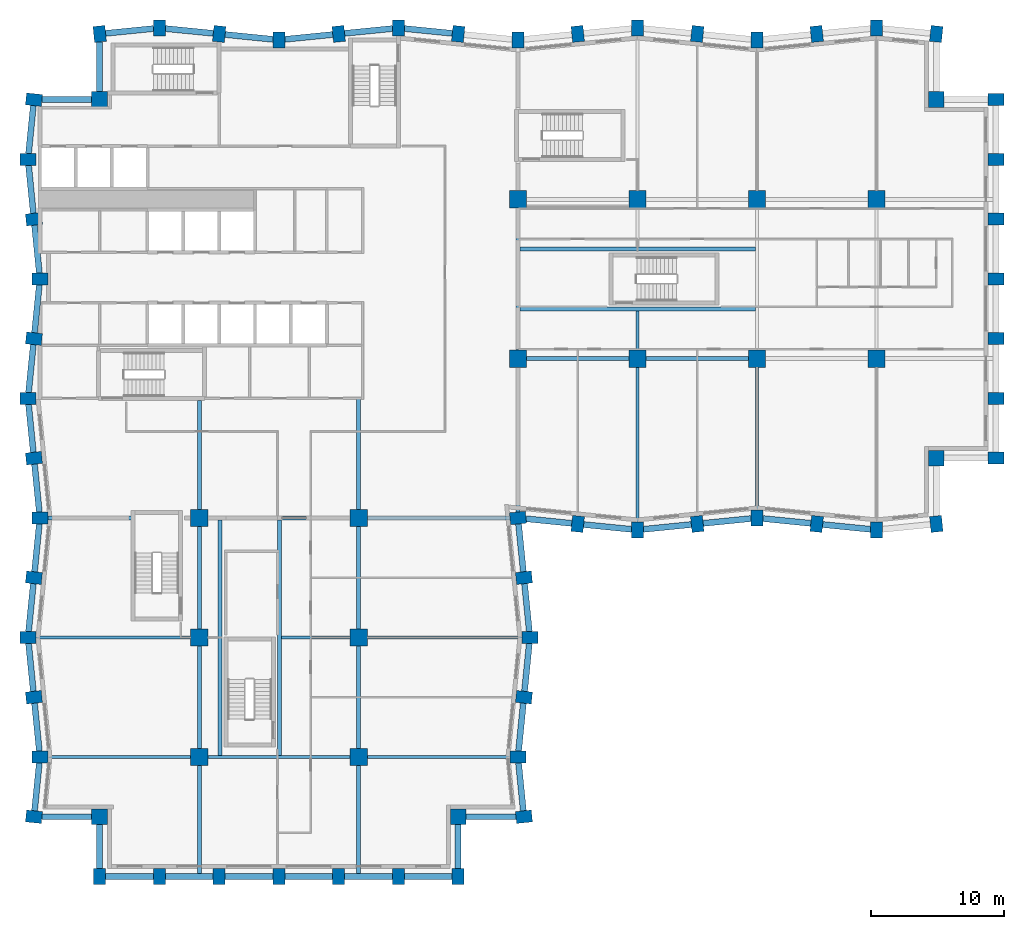
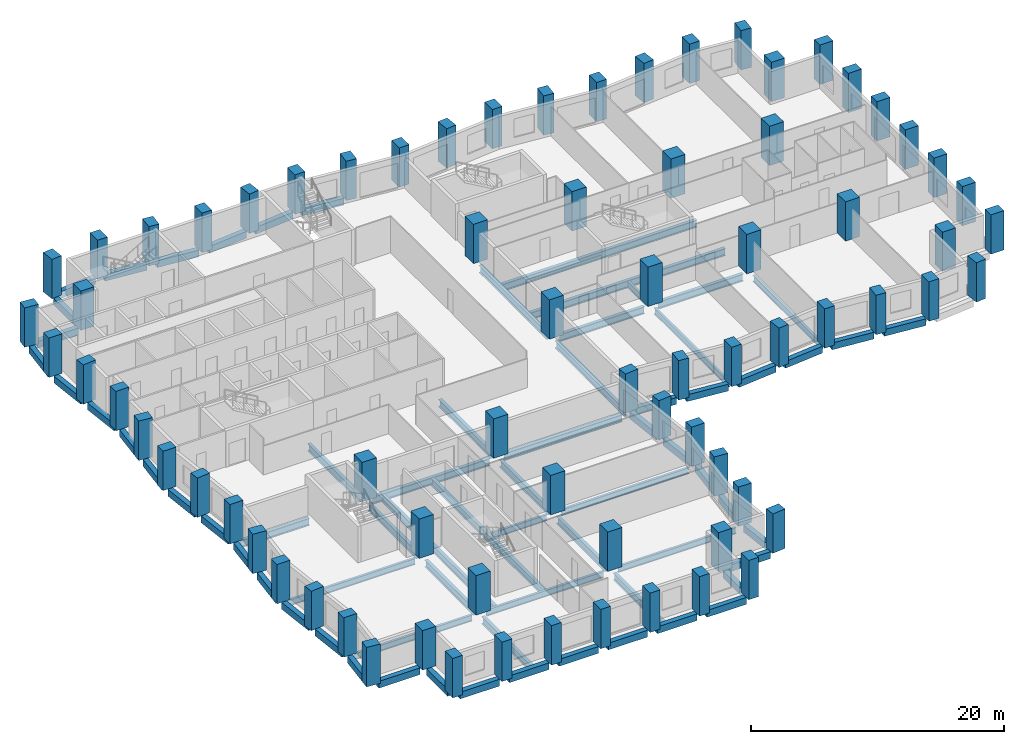
# One storey, part 1 of 11: 74 columns, 69 beams.
"""IFC4 building model written with IfcOpenShell, lengths in metres."""

from ifc_helpers import new_model, si_unit, direction, frame, origin, origin_2d, place, context, subcontext, project, spatial, rectangle, i_section, extrude, material, material_profile, profile_set, type_object, element, save


model = new_model("IFC4")

# Units and contexts
model_context = context("Model", 3, precision=1e-05, world=origin(), true_north=direction((0.0, 1.0)))
body_context = subcontext(model_context, "Body", "Model", "MODEL_VIEW")
ifc_project = project(units=[si_unit("LENGTHUNIT", "METRE"), si_unit("AREAUNIT", "SQUARE_METRE"), si_unit("VOLUMEUNIT", "CUBIC_METRE"), si_unit("PLANEANGLEUNIT", "RADIAN"), si_unit("MASSUNIT", "GRAM", prefix="KILO")], contexts=[model_context])

# Site, building, storey
site_placement = place(None, origin())
site = spatial("IfcSite", under=ifc_project, at=site_placement, CompositionType="ELEMENT")
building_placement = place(site_placement, origin())
building = spatial("IfcBuilding", under=site, at=building_placement, Name="Brondeck Convention Tower", CompositionType="ELEMENT")
storey_placement = place(building_placement, frame((0.0, 0.0, 122.699951171875)))
storey = spatial("IfcBuildingStorey", under=building, at=storey_placement, Name="L29", CompositionType="ELEMENT", Elevation=122.699951171875)

# Columns
ifc_material_1 = material(Name="Concrete C70/85", Category="concrete")
ifc_material_profile_1 = material_profile(ifc_material_1, rectangle(XDim=1.199951171875, YDim=1.199951171875, at=origin_2d()), Name="Corner column 1200x1200 Concrete C70/85")
ifc_profile_set_1 = profile_set([ifc_material_profile_1], Name="Concrete C70/85")
column_type_1 = type_object("IfcColumnType", Name="Corner column 1200x1200 Concrete C70/85", PredefinedType="COLUMN", material=ifc_profile_set_1)
for number, where, z_axis, x_axis, name in (
    (1, (4.5, 4.5, 0.0), (0.0, 0.0, 1.0), (1.0, 0.0, 0.0), "STR-COL-L29-NC-SWB0"),
    (2, (31.5, 4.5, 0.0), (0.0, 0.0, 1.0), (1.0, 0.0, 0.0), "STR-COL-L29-NC-SEB0"),
    (3, (67.5, 31.5, 0.0), (0.0, 0.0, 1.0), (1.0, 0.0, 0.0), "STR-COL-L29-NC-SEA72"),
    (4, (67.5, 58.5, 0.0), (0.0, 0.0, 1.0), (1.0, 0.0, 0.0), "STR-COL-L29-NC-NEA72"),
    (5, (4.5, 58.5, 0.0), (0.0, 0.0, 1.0), (1.0, 0.0, 0.0), "STR-COL-L29-NC-NW"),
):
    element("IfcColumn", number, at=place(storey_placement, frame(where, z_axis=z_axis, x_axis=x_axis)), inside=storey, type_object=column_type_1, Name=name, PredefinedType="COLUMN", context=body_context, shape_type="SweptSolid", body=[
        extrude(rectangle(XDim=1.199951171875, YDim=1.199951171875, at=origin_2d()), origin(), (0.0, 0.0, 1.0), 3.800048828125),
    ])
ifc_material_profile_2 = material_profile(ifc_material_1, rectangle(XDim=1.300048828125, YDim=1.300048828125, at=origin_2d()), Name="Interior column 1300x1300 Concrete C70/85")
ifc_profile_set_2 = profile_set([ifc_material_profile_2], Name="Concrete C70/85")
column_type_2 = type_object("IfcColumnType", Name="Interior column 1300x1300 Concrete C70/85", PredefinedType="COLUMN", material=ifc_profile_set_2)
for number, where, z_axis, x_axis, name in (
    (6, (12.0, 9.0, 0.0), (0.0, 0.0, 1.0), (1.0, 0.0, 0.0), "STR-COL-L29-IC-01"),
    (7, (12.0, 18.0, 0.0), (0.0, 0.0, 1.0), (1.0, 0.0, 0.0), "STR-COL-L29-IC-02"),
    (8, (12.0, 27.0, 0.0), (0.0, 0.0, 1.0), (1.0, 0.0, 0.0), "STR-COL-L29-IC-03"),
    (9, (24.0, 9.0, 0.0), (0.0, 0.0, 1.0), (1.0, 0.0, 0.0), "STR-COL-L29-IC-04"),
    (10, (24.0, 18.0, 0.0), (0.0, 0.0, 1.0), (1.0, 0.0, 0.0), "STR-COL-L29-IC-05"),
    (11, (24.0, 27.0, 0.0), (0.0, 0.0, 1.0), (1.0, 0.0, 0.0), "STR-COL-L29-IC-06"),
    (12, (36.0, 39.0, 0.0), (0.0, 0.0, 1.0), (1.0, 0.0, 0.0), "STR-COL-L29-IC-07"),
    (13, (36.0, 51.0, 0.0), (0.0, 0.0, 1.0), (1.0, 0.0, 0.0), "STR-COL-L29-IC-08"),
    (14, (45.0, 39.0, 0.0), (0.0, 0.0, 1.0), (1.0, 0.0, 0.0), "STR-COL-L29-IC-09"),
    (15, (45.0, 51.0, 0.0), (0.0, 0.0, 1.0), (1.0, 0.0, 0.0), "STR-COL-L29-IC-10"),
    (16, (54.0, 39.0, 0.0), (0.0, 0.0, 1.0), (1.0, 0.0, 0.0), "STR-COL-L29-IC-11"),
    (17, (54.0, 51.0, 0.0), (0.0, 0.0, 1.0), (1.0, 0.0, 0.0), "STR-COL-L29-IC-12"),
    (18, (63.0, 39.0, 0.0), (0.0, 0.0, 1.0), (1.0, 0.0, 0.0), "STR-COL-L29-IC-13"),
    (19, (63.0, 51.0, 0.0), (0.0, 0.0, 1.0), (1.0, 0.0, 0.0), "STR-COL-L29-IC-14"),
):
    element("IfcColumn", number, at=place(storey_placement, frame(where, z_axis=z_axis, x_axis=x_axis)), inside=storey, type_object=column_type_2, Name=name, PredefinedType="COLUMN", context=body_context, shape_type="SweptSolid", body=[
        extrude(rectangle(XDim=1.300048828125, YDim=1.300048828125, at=origin_2d()), origin(), (0.0, 0.0, 1.0), 3.800048828125),
    ])
ifc_material_profile_3 = material_profile(ifc_material_1, rectangle(XDim=0.89990234375, YDim=1.199951171875, at=origin_2d()), Name="Perimeter pier 900x1200 Concrete C70/85")
ifc_profile_set_3 = profile_set([ifc_material_profile_3], Name="Concrete C70/85")
column_type_3 = type_object("IfcColumnType", Name="Perimeter pier 900x1200 Concrete C70/85", PredefinedType="COLUMN", material=ifc_profile_set_3)
for number, where, z_axis, x_axis, name in (
    (20, (4.5, 0.0, 0.0), (0.0, 0.0, 1.0), (1.0, 0.0, 0.0), "STR-COL-L29-PC-B-S0-01"),
    (21, (9.0, 0.0, 0.0), (0.0, 0.0, 1.0), (1.0, 0.0, 0.0), "STR-COL-L29-PC-B-S0-02"),
    (22, (13.5, 0.0, 0.0), (0.0, 0.0, 1.0), (1.0, 0.0, 0.0), "STR-COL-L29-PC-B-S0-03"),
    (23, (18.0, 0.0, 0.0), (0.0, 0.0, 1.0), (1.0, 0.0, 0.0), "STR-COL-L29-PC-B-S0-04"),
    (24, (22.5, 0.0, 0.0), (0.0, 0.0, 1.0), (1.0, 0.0, 0.0), "STR-COL-L29-PC-B-S0-05"),
    (25, (27.0, 0.0, 0.0), (0.0, 0.0, 1.0), (1.0, 0.0, 0.0), "STR-COL-L29-PC-B-S0-06"),
    (26, (31.5, 0.0, 0.0), (0.0, 0.0, 1.0), (1.0, 0.0, 0.0), "STR-COL-L29-PC-B-S0-07"),
    (27, (36.449951171875, 4.5, 0.0), (0.0, 0.0, 1.0), (-0.0995038382, 0.995037178292, 0.0), "STR-COL-L29-PC-B-E-05"),
    (28, (36.0, 9.0, 0.0), (0.0, 0.0, 1.0), (0.0, 1.0, 0.0), "STR-COL-L29-PC-B-E-04"),
    (29, (36.449951171875, 13.5, 0.0), (0.0, 0.0, 1.0), (0.0995038382, 0.995037178292, 0.0), "STR-COL-L29-PC-B-E-03"),
    (30, (36.89990234375, 18.0, 0.0), (0.0, 0.0, 1.0), (0.0, 1.0, 0.0), "STR-COL-L29-PC-B-E-02"),
    (31, (36.449951171875, 22.5, 0.0), (0.0, 0.0, 1.0), (-0.0995038382, 0.995037178292, 0.0), "STR-COL-L29-PC-B-E-01"),
    (32, (36.0, 27.0, 0.0), (0.0, 0.0, 1.0), (-0.0995038382, 0.995037178292, 0.0), "STR-COL-L29-PC-B-E-00"),
    (33, (40.5, 26.550048828125, 0.0), (0.0, 0.0, 1.0), (0.995037178292, -0.0995038382, 0.0), "STR-COL-L29-PC-A-S-01"),
    (34, (45.0, 26.10009765625, 0.0), (0.0, 0.0, 1.0), (1.0, 0.0, 0.0), "STR-COL-L29-PC-A-S-02"),
    (35, (49.5, 26.550048828125, 0.0), (0.0, 0.0, 1.0), (0.995037178292, 0.0995038382, 0.0), "STR-COL-L29-PC-A-S-03"),
    (36, (54.0, 27.0, 0.0), (0.0, 0.0, 1.0), (1.0, 0.0, 0.0), "STR-COL-L29-PC-A-S-04"),
    (37, (58.5, 26.550048828125, 0.0), (0.0, 0.0, 1.0), (0.995037178292, -0.0995038382, 0.0), "STR-COL-L29-PC-A-S-05"),
    (38, (63.0, 26.10009765625, 0.0), (0.0, 0.0, 1.0), (1.0, 0.0, 0.0), "STR-COL-L29-PC-A-S-06"),
    (39, (67.5, 26.550048828125, 0.0), (0.0, 0.0, 1.0), (0.995037178292, 0.0995038382, 0.0), "STR-COL-L29-PC-A-S-07"),
    (40, (72.0, 31.5, 0.0), (0.0, 0.0, 1.0), (0.0, 1.0, 0.0), "STR-COL-L29-PC-A-E72-01"),
    (41, (72.0, 36.0, 0.0), (0.0, 0.0, 1.0), (0.0, 1.0, 0.0), "STR-COL-L29-PC-A-E72-02"),
    (42, (72.0, 40.5, 0.0), (0.0, 0.0, 1.0), (0.0, 1.0, 0.0), "STR-COL-L29-PC-A-E72-03"),
    (43, (72.0, 45.0, 0.0), (0.0, 0.0, 1.0), (0.0, 1.0, 0.0), "STR-COL-L29-PC-A-E72-04"),
    (44, (72.0, 49.5, 0.0), (0.0, 0.0, 1.0), (0.0, 1.0, 0.0), "STR-COL-L29-PC-A-E72-05"),
    (45, (72.0, 54.0, 0.0), (0.0, 0.0, 1.0), (0.0, 1.0, 0.0), "STR-COL-L29-PC-A-E72-06"),
    (46, (72.0, 58.5, 0.0), (0.0, 0.0, 1.0), (0.0, 1.0, 0.0), "STR-COL-L29-PC-A-E72-07"),
    (47, (67.5, 63.449951171875, 0.0), (0.0, 0.0, 1.0), (-0.995037178292, 0.0995038382, 0.0), "STR-COL-L29-PC-A-N-15"),
    (48, (63.0, 63.89990234375, 0.0), (0.0, 0.0, 1.0), (-1.0, 0.0, 0.0), "STR-COL-L29-PC-A-N-14"),
    (49, (58.5, 63.449951171875, 0.0), (0.0, 0.0, 1.0), (-0.995037178292, -0.0995038382, 0.0), "STR-COL-L29-PC-A-N-13"),
    (50, (54.0, 63.0, 0.0), (0.0, 0.0, 1.0), (-1.0, 0.0, 0.0), "STR-COL-L29-PC-A-N-12"),
    (51, (49.5, 63.449951171875, 0.0), (0.0, 0.0, 1.0), (-0.995037178292, 0.0995038382, 0.0), "STR-COL-L29-PC-A-N-11"),
    (52, (45.0, 63.89990234375, 0.0), (0.0, 0.0, 1.0), (-1.0, 0.0, 0.0), "STR-COL-L29-PC-A-N-10"),
    (53, (40.5, 63.449951171875, 0.0), (0.0, 0.0, 1.0), (-0.995037178292, -0.0995038382, 0.0), "STR-COL-L29-PC-A-N-09"),
    (54, (36.0, 63.0, 0.0), (0.0, 0.0, 1.0), (-1.0, 0.0, 0.0), "STR-COL-L29-PC-A-N-08"),
    (55, (31.5, 63.449951171875, 0.0), (0.0, 0.0, 1.0), (-0.995037178292, 0.0995038382, 0.0), "STR-COL-L29-PC-A-N-07"),
    (56, (27.0, 63.89990234375, 0.0), (0.0, 0.0, 1.0), (-1.0, 0.0, 0.0), "STR-COL-L29-PC-A-N-06"),
    (57, (22.5, 63.449951171875, 0.0), (0.0, 0.0, 1.0), (-0.995037178292, -0.0995038382, 0.0), "STR-COL-L29-PC-A-N-05"),
    (58, (18.0, 63.0, 0.0), (0.0, 0.0, 1.0), (-1.0, 0.0, 0.0), "STR-COL-L29-PC-A-N-04"),
    (59, (13.5, 63.449951171875, 0.0), (0.0, 0.0, 1.0), (-0.995037178292, 0.0995038382, 0.0), "STR-COL-L29-PC-A-N-03"),
    (60, (9.0, 63.89990234375, 0.0), (0.0, 0.0, 1.0), (-1.0, 0.0, 0.0), "STR-COL-L29-PC-A-N-02"),
    (61, (4.5, 63.449951171875, 0.0), (0.0, 0.0, 1.0), (-0.995037178292, -0.0995038382, 0.0), "STR-COL-L29-PC-A-N-01"),
    (62, (-0.449951171875, 58.5, 0.0), (0.0, 0.0, 1.0), (-0.0995038382, -0.995037178292, 0.0), "STR-COL-L29-PC-B-W-01"),
    (63, (-0.89990234375, 54.0, 0.0), (0.0, 0.0, 1.0), (0.0, -1.0, 0.0), "STR-COL-L29-PC-B-W-02"),
    (64, (-0.449951171875, 49.5, 0.0), (0.0, 0.0, 1.0), (0.0995038382, -0.995037178292, 0.0), "STR-COL-L29-PC-B-W-03"),
    (65, (0.0, 45.0, 0.0), (0.0, 0.0, 1.0), (0.0, -1.0, 0.0), "STR-COL-L29-PC-B-W-04"),
    (66, (-0.449951171875, 40.5, 0.0), (0.0, 0.0, 1.0), (-0.0995038382, -0.995037178292, 0.0), "STR-COL-L29-PC-B-W-05"),
    (67, (-0.89990234375, 36.0, 0.0), (0.0, 0.0, 1.0), (0.0, -1.0, 0.0), "STR-COL-L29-PC-B-W-06"),
    (68, (-0.449951171875, 31.5, 0.0), (0.0, 0.0, 1.0), (0.0995038382, -0.995037178292, 0.0), "STR-COL-L29-PC-B-W-07"),
    (69, (0.0, 27.0, 0.0), (0.0, 0.0, 1.0), (0.0, -1.0, 0.0), "STR-COL-L29-PC-B-W-08"),
    (70, (-0.449951171875, 22.5, 0.0), (0.0, 0.0, 1.0), (-0.0995038382, -0.995037178292, 0.0), "STR-COL-L29-PC-B-W-09"),
    (71, (-0.89990234375, 18.0, 0.0), (0.0, 0.0, 1.0), (0.0, -1.0, 0.0), "STR-COL-L29-PC-B-W-10"),
    (72, (-0.449951171875, 13.5, 0.0), (0.0, 0.0, 1.0), (0.0995038382, -0.995037178292, 0.0), "STR-COL-L29-PC-B-W-11"),
    (73, (0.0, 9.0, 0.0), (0.0, 0.0, 1.0), (0.0, -1.0, 0.0), "STR-COL-L29-PC-B-W-12"),
    (74, (-0.449951171875, 4.5, 0.0), (0.0, 0.0, 1.0), (-0.0995038382, -0.995037178292, 0.0), "STR-COL-L29-PC-B-W-13"),
):
    element("IfcColumn", number, at=place(storey_placement, frame(where, z_axis=z_axis, x_axis=x_axis)), inside=storey, type_object=column_type_3, Name=name, PredefinedType="COLUMN", context=body_context, shape_type="SweptSolid", body=[
        extrude(rectangle(XDim=0.89990234375, YDim=1.199951171875, at=origin_2d()), origin(), (0.0, 0.0, 1.0), 3.800048828125),
    ])

# Beams
ifc_material_2 = material(Name="Steel S355", Category="steel")
ifc_material_profile_4 = material_profile(ifc_material_2, i_section(OverallWidth=0.219970703125, OverallDepth=0.60009765625, WebThickness=0.011962890625, FlangeThickness=0.01904296875, FilletRadius=0.02392578125, at=origin_2d()), Name="IPE 600")
ifc_profile_set_4 = profile_set([ifc_material_profile_4], Name="Steel S355")
beam_type_1 = type_object("IfcBeamType", Name="Floor beam IPE 600", PredefinedType="BEAM", material=ifc_profile_set_4)
beam_1_placement = place(storey_placement, frame((45.0, 26.699951171875, -0.599853515625), z_axis=(0.0, 1.0, 0.0), x_axis=(-1.0, 0.0, 0.0)))
element("IfcBeam", 75, at=beam_1_placement, inside=storey, type_object=beam_type_1, Name="STR-FB-L29-001", PredefinedType="BEAM", context=body_context, shape_type="SweptSolid", body=[
    extrude(i_section(OverallWidth=0.219970703125, OverallDepth=0.60009765625, WebThickness=0.011962890625, FlangeThickness=0.01904296875, FilletRadius=0.02392578125, at=origin_2d()), origin(), (0.0, 0.0, 1.0), 11.650146484375),
])
for number, where, z_axis, x_axis, name in (
    (76, (54.0, 27.60009765625, -0.599853515625), (0.0, 1.0, 0.0), (-1.0, 0.0, 0.0), "STR-FB-L29-003"),
    (77, (0.60009765625, 9.0, -0.599853515625), (1.0, 0.0, 0.0), (0.0, 1.0, 0.0), "STR-FB-L29-009"),
):
    element("IfcBeam", number, at=place(storey_placement, frame(where, z_axis=z_axis, x_axis=x_axis)), inside=storey, type_object=beam_type_1, Name=name, PredefinedType="BEAM", context=body_context, shape_type="SweptSolid", body=[
        extrude(i_section(OverallWidth=0.219970703125, OverallDepth=0.60009765625, WebThickness=0.011962890625, FlangeThickness=0.01904296875, FilletRadius=0.02392578125, at=origin_2d()), origin(), (0.0, 0.0, 1.0), 10.75),
    ])
beam_2_placement = place(storey_placement, frame((12.64990234375, 9.0, -0.599853515625), z_axis=(1.0, 0.0, 0.0), x_axis=(0.0, 1.0, 0.0)))
element("IfcBeam", 78, at=beam_2_placement, inside=storey, type_object=beam_type_1, Name="STR-FB-L29-010", PredefinedType="BEAM", context=body_context, shape_type="SweptSolid", body=[
    extrude(i_section(OverallWidth=0.219970703125, OverallDepth=0.60009765625, WebThickness=0.011962890625, FlangeThickness=0.01904296875, FilletRadius=0.02392578125, at=origin_2d()), origin(), (0.0, 0.0, 1.0), 10.7001953125),
])
beam_3_placement = place(storey_placement, frame((24.64990234375, 9.0, -0.599853515625), z_axis=(1.0, 0.0, 0.0), x_axis=(0.0, 1.0, 0.0)))
element("IfcBeam", 79, at=beam_3_placement, inside=storey, type_object=beam_type_1, Name="STR-FB-L29-011", PredefinedType="BEAM", context=body_context, shape_type="SweptSolid", body=[
    extrude(i_section(OverallWidth=0.219970703125, OverallDepth=0.60009765625, WebThickness=0.011962890625, FlangeThickness=0.01904296875, FilletRadius=0.02392578125, at=origin_2d()), origin(), (0.0, 0.0, 1.0), 10.75),
])
for number, where, z_axis, x_axis, name in (
    (80, (-0.300048828125, 18.0, -0.599853515625), (1.0, 0.0, 0.0), (0.0, 1.0, 0.0), "STR-FB-L29-012"),
    (81, (24.64990234375, 18.0, -0.599853515625), (1.0, 0.0, 0.0), (0.0, 1.0, 0.0), "STR-FB-L29-013"),
):
    element("IfcBeam", number, at=place(storey_placement, frame(where, z_axis=z_axis, x_axis=x_axis)), inside=storey, type_object=beam_type_1, Name=name, PredefinedType="BEAM", context=body_context, shape_type="SweptSolid", body=[
        extrude(i_section(OverallWidth=0.219970703125, OverallDepth=0.60009765625, WebThickness=0.011962890625, FlangeThickness=0.01904296875, FilletRadius=0.02392578125, at=origin_2d()), origin(), (0.0, 0.0, 1.0), 11.650146484375),
    ])
beam_4_placement = place(storey_placement, frame((45.0, 39.64990234375, -0.599853515625), z_axis=(0.0, 1.0, 0.0), x_axis=(-1.0, 0.0, 0.0)))
element("IfcBeam", 82, at=beam_4_placement, inside=storey, type_object=beam_type_1, Name="STR-FB-L29-014", PredefinedType="BEAM", context=body_context, shape_type="SweptSolid", body=[
    extrude(i_section(OverallWidth=0.219970703125, OverallDepth=0.60009765625, WebThickness=0.011962890625, FlangeThickness=0.01904296875, FilletRadius=0.02392578125, at=origin_2d()), origin(), (0.0, 0.0, 1.0), 2.9501953125),
])
beam_5_placement = place(storey_placement, frame((18.199951171875, 18.0, -0.599853515625), z_axis=(1.0, 0.0, 0.0), x_axis=(0.0, 1.0, 0.0)))
element("IfcBeam", 83, at=beam_5_placement, inside=storey, type_object=beam_type_1, Name="STR-FB-L29-016", PredefinedType="BEAM", context=body_context, shape_type="SweptSolid", body=[
    extrude(i_section(OverallWidth=0.219970703125, OverallDepth=0.60009765625, WebThickness=0.011962890625, FlangeThickness=0.01904296875, FilletRadius=0.02392578125, at=origin_2d()), origin(), (0.0, 0.0, 1.0), 5.150146484375),
])
ifc_material_profile_5 = material_profile(ifc_material_2, i_section(OverallWidth=0.300048828125, OverallDepth=0.699951171875, WebThickness=0.01708984375, FlangeThickness=0.031982421875, FilletRadius=0.027099609375, at=origin_2d()), Name="HEB 700")
ifc_profile_set_5 = profile_set([ifc_material_profile_5], Name="Steel S355")
beam_type_2 = type_object("IfcBeamType", Name="Girder HEB 700", PredefinedType="BEAM", material=ifc_profile_set_5)
for number, where, z_axis, x_axis, name in (
    (84, (36.64990234375, 39.0, -0.64990234375), (1.0, 0.0, 0.0), (0.0, 1.0, 0.0), "STR-GR-L29-001"),
    (85, (45.64990234375, 39.0, -0.64990234375), (1.0, 0.0, 0.0), (0.0, 1.0, 0.0), "STR-GR-L29-002"),
):
    element("IfcBeam", number, at=place(storey_placement, frame(where, z_axis=z_axis, x_axis=x_axis)), inside=storey, type_object=beam_type_2, Name=name, PredefinedType="BEAM", context=body_context, shape_type="SweptSolid", body=[
        extrude(i_section(OverallWidth=0.300048828125, OverallDepth=0.699951171875, WebThickness=0.01708984375, FlangeThickness=0.031982421875, FilletRadius=0.027099609375, at=origin_2d()), origin(), (0.0, 0.0, 1.0), 7.7001953125),
    ])
beam_6_placement = place(storey_placement, frame((36.0, 27.4521484375, -0.64990234375), z_axis=(0.0, 1.0, 0.0), x_axis=(-1.0, 0.0, 0.0)))
element("IfcBeam", 86, at=beam_6_placement, inside=storey, type_object=beam_type_2, Name="STR-GR-L29-009", PredefinedType="BEAM", context=body_context, shape_type="SweptSolid", body=[
    extrude(i_section(OverallWidth=0.300048828125, OverallDepth=0.699951171875, WebThickness=0.01708984375, FlangeThickness=0.031982421875, FilletRadius=0.027099609375, at=origin_2d()), origin(), (0.0, 0.0, 1.0), 10.89794921875),
])
beam_7_placement = place(storey_placement, frame((36.0, 39.64990234375, -0.64990234375), z_axis=(0.0, 1.0, 0.0), x_axis=(-1.0, 0.0, 0.0)))
element("IfcBeam", 87, at=beam_7_placement, inside=storey, type_object=beam_type_2, Name="STR-GR-L29-010", PredefinedType="BEAM", context=body_context, shape_type="SweptSolid", body=[
    extrude(i_section(OverallWidth=0.300048828125, OverallDepth=0.699951171875, WebThickness=0.01708984375, FlangeThickness=0.031982421875, FilletRadius=0.027099609375, at=origin_2d()), origin(), (0.0, 0.0, 1.0), 10.7001953125),
])
beam_8_placement = place(storey_placement, frame((12.0, 35.85009765625, -0.64990234375), z_axis=(0.0, -1.0, 0.0), x_axis=(1.0, 0.0, 0.0)))
element("IfcBeam", 88, at=beam_8_placement, inside=storey, type_object=beam_type_2, Name="STR-GR-L29-013", PredefinedType="BEAM", context=body_context, shape_type="SweptSolid", body=[
    extrude(i_section(OverallWidth=0.300048828125, OverallDepth=0.699951171875, WebThickness=0.01708984375, FlangeThickness=0.031982421875, FilletRadius=0.027099609375, at=origin_2d()), origin(), (0.0, 0.0, 1.0), 8.2001953125),
])
for number, where, z_axis, x_axis, name in (
    (89, (12.0, 26.35009765625, -0.64990234375), (0.0, -1.0, 0.0), (1.0, 0.0, 0.0), "STR-GR-L29-014"),
    (90, (12.0, 17.35009765625, -0.64990234375), (0.0, -1.0, 0.0), (1.0, 0.0, 0.0), "STR-GR-L29-015"),
):
    element("IfcBeam", number, at=place(storey_placement, frame(where, z_axis=z_axis, x_axis=x_axis)), inside=storey, type_object=beam_type_2, Name=name, PredefinedType="BEAM", context=body_context, shape_type="SweptSolid", body=[
        extrude(i_section(OverallWidth=0.300048828125, OverallDepth=0.699951171875, WebThickness=0.01708984375, FlangeThickness=0.031982421875, FilletRadius=0.027099609375, at=origin_2d()), origin(), (0.0, 0.0, 1.0), 7.7001953125),
    ])
beam_9_placement = place(storey_placement, frame((12.0, 8.35009765625, -0.64990234375), z_axis=(0.0, -1.0, 0.0), x_axis=(1.0, 0.0, 0.0)))
element("IfcBeam", 91, at=beam_9_placement, inside=storey, type_object=beam_type_2, Name="STR-GR-L29-016", PredefinedType="BEAM", context=body_context, shape_type="SweptSolid", body=[
    extrude(i_section(OverallWidth=0.300048828125, OverallDepth=0.699951171875, WebThickness=0.01708984375, FlangeThickness=0.031982421875, FilletRadius=0.027099609375, at=origin_2d()), origin(), (0.0, 0.0, 1.0), 8.125),
])
beam_10_placement = place(storey_placement, frame((24.0, 35.955078125, -0.64990234375), z_axis=(0.0, -1.0, 0.0), x_axis=(1.0, 0.0, 0.0)))
element("IfcBeam", 92, at=beam_10_placement, inside=storey, type_object=beam_type_2, Name="STR-GR-L29-017", PredefinedType="BEAM", context=body_context, shape_type="SweptSolid", body=[
    extrude(i_section(OverallWidth=0.300048828125, OverallDepth=0.699951171875, WebThickness=0.01708984375, FlangeThickness=0.031982421875, FilletRadius=0.027099609375, at=origin_2d()), origin(), (0.0, 0.0, 1.0), 8.30517578125),
])
for number, where, z_axis, x_axis, name in (
    (93, (24.0, 26.35009765625, -0.64990234375), (0.0, -1.0, 0.0), (1.0, 0.0, 0.0), "STR-GR-L29-018"),
    (94, (24.0, 17.35009765625, -0.64990234375), (0.0, -1.0, 0.0), (1.0, 0.0, 0.0), "STR-GR-L29-019"),
):
    element("IfcBeam", number, at=place(storey_placement, frame(where, z_axis=z_axis, x_axis=x_axis)), inside=storey, type_object=beam_type_2, Name=name, PredefinedType="BEAM", context=body_context, shape_type="SweptSolid", body=[
        extrude(i_section(OverallWidth=0.300048828125, OverallDepth=0.699951171875, WebThickness=0.01708984375, FlangeThickness=0.031982421875, FilletRadius=0.027099609375, at=origin_2d()), origin(), (0.0, 0.0, 1.0), 7.7001953125),
    ])
beam_11_placement = place(storey_placement, frame((24.0, 8.35009765625, -0.64990234375), z_axis=(0.0, -1.0, 0.0), x_axis=(1.0, 0.0, 0.0)))
element("IfcBeam", 95, at=beam_11_placement, inside=storey, type_object=beam_type_2, Name="STR-GR-L29-020", PredefinedType="BEAM", context=body_context, shape_type="SweptSolid", body=[
    extrude(i_section(OverallWidth=0.300048828125, OverallDepth=0.699951171875, WebThickness=0.01708984375, FlangeThickness=0.031982421875, FilletRadius=0.027099609375, at=origin_2d()), origin(), (0.0, 0.0, 1.0), 8.125),
])
beam_12_placement = place(storey_placement, frame((0.60009765625, 27.0, -0.64990234375), z_axis=(1.0, 0.0, 0.0), x_axis=(0.0, 1.0, 0.0)))
element("IfcBeam", 96, at=beam_12_placement, inside=storey, type_object=beam_type_2, Name="STR-GR-L29-021", PredefinedType="BEAM", context=body_context, shape_type="SweptSolid", body=[
    extrude(i_section(OverallWidth=0.300048828125, OverallDepth=0.699951171875, WebThickness=0.01708984375, FlangeThickness=0.031982421875, FilletRadius=0.027099609375, at=origin_2d()), origin(), (0.0, 0.0, 1.0), 6.27978515625),
])
beam_13_placement = place(storey_placement, frame((12.64990234375, 27.0, -0.64990234375), z_axis=(1.0, 0.0, 0.0), x_axis=(0.0, 1.0, 0.0)))
element("IfcBeam", 97, at=beam_13_placement, inside=storey, type_object=beam_type_2, Name="STR-GR-L29-022", PredefinedType="BEAM", context=body_context, shape_type="SweptSolid", body=[
    extrude(i_section(OverallWidth=0.300048828125, OverallDepth=0.699951171875, WebThickness=0.01708984375, FlangeThickness=0.031982421875, FilletRadius=0.027099609375, at=origin_2d()), origin(), (0.0, 0.0, 1.0), 10.7001953125),
])
beam_14_placement = place(storey_placement, frame((24.64990234375, 27.0, -0.64990234375), z_axis=(1.0, 0.0, 0.0), x_axis=(0.0, 1.0, 0.0)))
element("IfcBeam", 98, at=beam_14_placement, inside=storey, type_object=beam_type_2, Name="STR-GR-L29-023", PredefinedType="BEAM", context=body_context, shape_type="SweptSolid", body=[
    extrude(i_section(OverallWidth=0.300048828125, OverallDepth=0.699951171875, WebThickness=0.01708984375, FlangeThickness=0.031982421875, FilletRadius=0.027099609375, at=origin_2d()), origin(), (0.0, 0.0, 1.0), 10.7470703125),
])
for number, where, z_axis, x_axis, name in (
    (99, (36.14990234375, 42.75, -0.64990234375), (1.0, 0.0, 0.0), (0.0, 1.0, 0.0), "STR-GR-L29-024"),
    (100, (36.14990234375, 47.25, -0.64990234375), (1.0, 0.0, 0.0), (0.0, 1.0, 0.0), "STR-GR-L29-025"),
    (101, (13.550048828125, 9.110107421875, -0.64990234375), (0.0, 1.0, 0.0), (-1.0, 0.0, 0.0), "STR-GR-L29-026"),
    (102, (18.050048828125, 9.110107421875, -0.64990234375), (0.0, 1.0, 0.0), (-1.0, 0.0, 0.0), "STR-GR-L29-027"),
):
    element("IfcBeam", number, at=place(storey_placement, frame(where, z_axis=z_axis, x_axis=x_axis)), inside=storey, type_object=beam_type_2, Name=name, PredefinedType="BEAM", context=body_context, shape_type="SweptSolid", body=[
        extrude(i_section(OverallWidth=0.300048828125, OverallDepth=0.699951171875, WebThickness=0.01708984375, FlangeThickness=0.031982421875, FilletRadius=0.027099609375, at=origin_2d()), origin(), (0.0, 0.0, 1.0), 17.739990234375),
    ])
ifc_material_profile_6 = material_profile(ifc_material_1, rectangle(XDim=0.449951171875, YDim=0.64990234375, at=origin_2d()), Name="Precast spandrel 450x650 Concrete C70/85")
ifc_profile_set_6 = profile_set([ifc_material_profile_6], Name="Concrete C70/85")
beam_type_3 = type_object("IfcBeamType", Name="Precast spandrel 450x650 Concrete C70/85", PredefinedType="SPANDREL", material=ifc_profile_set_6)
for number, where, z_axis, x_axis, name in (
    (103, (4.949951171875, 0.0, -0.324951171875), (1.0, 0.0, 0.0), (0.0, 1.0, 0.0), "STR-SP-L29-001"),
    (104, (9.449951171875, 0.0, -0.324951171875), (1.0, 0.0, 0.0), (0.0, 1.0, 0.0), "STR-SP-L29-002"),
    (105, (13.949951171875, 0.0, -0.324951171875), (1.0, 0.0, 0.0), (0.0, 1.0, 0.0), "STR-SP-L29-003"),
    (106, (18.449951171875, 0.0, -0.324951171875), (1.0, 0.0, 0.0), (0.0, 1.0, 0.0), "STR-SP-L29-004"),
    (107, (22.949951171875, 0.0, -0.324951171875), (1.0, 0.0, 0.0), (0.0, 1.0, 0.0), "STR-SP-L29-005"),
    (108, (27.449951171875, 0.0, -0.324951171875), (1.0, 0.0, 0.0), (0.0, 1.0, 0.0), "STR-SP-L29-006"),
):
    element("IfcBeam", number, at=place(storey_placement, frame(where, z_axis=z_axis, x_axis=x_axis)), inside=storey, type_object=beam_type_3, Name=name, PredefinedType="SPANDREL", context=body_context, shape_type="SweptSolid", body=[
        extrude(rectangle(XDim=0.449951171875, YDim=0.64990234375, at=origin_2d()), origin(), (0.0, 0.0, 1.0), 3.60009765625),
    ])
beam_15_placement = place(storey_placement, frame((31.5, 0.60009765625, -0.324951171875), z_axis=(0.0, 1.0, 0.0), x_axis=(-1.0, 0.0, 0.0)))
element("IfcBeam", 109, at=beam_15_placement, inside=storey, type_object=beam_type_3, Name="STR-SP-L29-007", PredefinedType="SPANDREL", context=body_context, shape_type="SweptSolid", body=[
    extrude(rectangle(XDim=0.449951171875, YDim=0.64990234375, at=origin_2d()), origin(), (0.0, 0.0, 1.0), 3.2998046875),
])
beam_16_placement = place(storey_placement, frame((32.10009765625, 4.5, -0.324951171875), z_axis=(1.0, 0.0, 0.0), x_axis=(0.0, 1.0, 0.0)))
element("IfcBeam", 110, at=beam_16_placement, inside=storey, type_object=beam_type_3, Name="STR-SP-L29-008", PredefinedType="SPANDREL", context=body_context, shape_type="SweptSolid", body=[
    extrude(rectangle(XDim=0.449951171875, YDim=0.64990234375, at=origin_2d()), origin(), (0.0, 0.0, 1.0), 3.746826171875),
])
for number, where, z_axis, x_axis, name in (
    (111, (36.4052734375, 4.94775390625, -0.324951171875), (-0.099537103649, 0.995033851182, 0.0), (-0.995033851182, -0.099537103649, 0.0), "STR-SP-L29-009"),
    (112, (36.044921875, 9.449951171875, -0.324951171875), (0.099537103649, 0.995033851182, 0.0), (-0.995033851182, 0.099537103649, 0.0), "STR-SP-L29-010"),
    (113, (36.494873046875, 13.94775390625, -0.324951171875), (0.099470334057, 0.995040528141, 0.0), (-0.995040528141, 0.099470334057, 0.0), "STR-SP-L29-011"),
    (114, (36.85498046875, 18.449951171875, -0.324951171875), (-0.099470334057, 0.995040528141, 0.0), (-0.995040528141, -0.099470334057, 0.0), "STR-SP-L29-012"),
):
    element("IfcBeam", number, at=place(storey_placement, frame(where, z_axis=z_axis, x_axis=x_axis)), inside=storey, type_object=beam_type_3, Name=name, PredefinedType="SPANDREL", context=body_context, shape_type="SweptSolid", body=[
        extrude(rectangle(XDim=0.449951171875, YDim=0.64990234375, at=origin_2d()), origin(), (0.0, 0.0, 1.0), 3.620361328125),
    ])
beam_17_placement = place(storey_placement, frame((36.4052734375, 22.94775390625, -0.324951171875), z_axis=(-0.099543756114, 0.995033185687, 0.0), x_axis=(-0.995033185687, -0.099543756114, 0.0)))
element("IfcBeam", 115, at=beam_17_placement, inside=storey, type_object=beam_type_3, Name="STR-SP-L29-013", PredefinedType="SPANDREL", context=body_context, shape_type="SweptSolid", body=[
    extrude(rectangle(XDim=0.449951171875, YDim=0.64990234375, at=origin_2d()), origin(), (0.0, 0.0, 1.0), 3.62255859375),
])
beam_18_placement = place(storey_placement, frame((36.609130859375, 26.939208984375, -0.324951171875), z_axis=(0.995032299082, -0.099552618167, 0.0), x_axis=(0.099552618167, 0.995032299082, 0.0)))
element("IfcBeam", 116, at=beam_18_placement, inside=storey, type_object=beam_type_3, Name="STR-SP-L29-014", PredefinedType="SPANDREL", context=body_context, shape_type="SweptSolid", body=[
    extrude(rectangle(XDim=0.449951171875, YDim=0.64990234375, at=origin_2d()), origin(), (0.0, 0.0, 1.0), 3.460205078125),
])
for number, where, z_axis, x_axis, name in (
    (117, (40.94775390625, 26.505126953125, -0.324951171875), (0.995040528141, -0.099470334057, 0.0), (0.099470334057, 0.995040528141, 0.0), "STR-SP-L29-015"),
    (118, (45.449951171875, 26.14501953125, -0.324951171875), (0.995040528141, 0.099470334057, 0.0), (-0.099470334057, 0.995040528141, 0.0), "STR-SP-L29-016"),
    (119, (49.94775390625, 26.5947265625, -0.324951171875), (0.995033851182, 0.099537103649, 0.0), (-0.099537103649, 0.995033851182, 0.0), "STR-SP-L29-017"),
    (120, (54.449951171875, 26.955078125, -0.324951171875), (0.995033851182, -0.099537103649, 0.0), (0.099537103649, 0.995033851182, 0.0), "STR-SP-L29-018"),
    (121, (58.94775390625, 26.505126953125, -0.324951171875), (0.995040528141, -0.099470334057, 0.0), (0.099470334057, 0.995040528141, 0.0), "STR-SP-L29-019"),
    (122, (31.05224609375, 63.494873046875, -0.324951171875), (-0.995040528141, 0.099470334057, 0.0), (-0.099470334057, -0.995040528141, 0.0), "STR-SP-L29-039"),
    (123, (26.550048828125, 63.85498046875, -0.324951171875), (-0.995040528141, -0.099470334057, 0.0), (0.099470334057, -0.995040528141, 0.0), "STR-SP-L29-040"),
    (124, (22.05224609375, 63.4052734375, -0.324951171875), (-0.995033851182, -0.099537103649, 0.0), (0.099537103649, -0.995033851182, 0.0), "STR-SP-L29-041"),
    (125, (17.550048828125, 63.044921875, -0.324951171875), (-0.995033851182, 0.099537103649, 0.0), (-0.099537103649, -0.995033851182, 0.0), "STR-SP-L29-042"),
    (126, (13.05224609375, 63.494873046875, -0.324951171875), (-0.995040528141, 0.099470334057, 0.0), (-0.099470334057, -0.995040528141, 0.0), "STR-SP-L29-043"),
    (127, (8.550048828125, 63.85498046875, -0.324951171875), (-0.995040528141, -0.099470334057, 0.0), (0.099470334057, -0.995040528141, 0.0), "STR-SP-L29-044"),
):
    element("IfcBeam", number, at=place(storey_placement, frame(where, z_axis=z_axis, x_axis=x_axis)), inside=storey, type_object=beam_type_3, Name=name, PredefinedType="SPANDREL", context=body_context, shape_type="SweptSolid", body=[
        extrude(rectangle(XDim=0.449951171875, YDim=0.64990234375, at=origin_2d()), origin(), (0.0, 0.0, 1.0), 3.620361328125),
    ])
for number, where, z_axis, x_axis, name in (
    (128, (4.5, 62.846923828125, -0.324951171875), (0.0, -1.0, 0.0), (1.0, 0.0, 0.0), "STR-SP-L29-045"),
    (129, (3.89990234375, 58.5, -0.324951171875), (-1.0, 0.0, 0.0), (0.0, -1.0, 0.0), "STR-SP-L29-046"),
):
    element("IfcBeam", number, at=place(storey_placement, frame(where, z_axis=z_axis, x_axis=x_axis)), inside=storey, type_object=beam_type_3, Name=name, PredefinedType="SPANDREL", context=body_context, shape_type="SweptSolid", body=[
        extrude(rectangle(XDim=0.449951171875, YDim=0.64990234375, at=origin_2d()), origin(), (0.0, 0.0, 1.0), 3.746826171875),
    ])
for number, where, z_axis, x_axis, name in (
    (130, (-0.494873046875, 58.05224609375, -0.324951171875), (-0.099470334057, -0.995040528141, 0.0), (0.995040528141, -0.099470334057, 0.0), "STR-SP-L29-047"),
    (131, (-0.85498046875, 53.550048828125, -0.324951171875), (0.099470334057, -0.995040528141, 0.0), (0.995040528141, 0.099470334057, 0.0), "STR-SP-L29-048"),
    (132, (-0.4052734375, 49.05224609375, -0.324951171875), (0.099537103649, -0.995033851182, 0.0), (0.995033851182, 0.099537103649, 0.0), "STR-SP-L29-049"),
    (133, (-0.044921875, 44.550048828125, -0.324951171875), (-0.099537103649, -0.995033851182, 0.0), (0.995033851182, -0.099537103649, 0.0), "STR-SP-L29-050"),
    (134, (-0.494873046875, 40.05224609375, -0.324951171875), (-0.099470334057, -0.995040528141, 0.0), (0.995040528141, -0.099470334057, 0.0), "STR-SP-L29-051"),
    (135, (-0.85498046875, 35.550048828125, -0.324951171875), (0.099470334057, -0.995040528141, 0.0), (0.995040528141, 0.099470334057, 0.0), "STR-SP-L29-052"),
    (136, (-0.4052734375, 31.05224609375, -0.324951171875), (0.099537103649, -0.995033851182, 0.0), (0.995033851182, 0.099537103649, 0.0), "STR-SP-L29-053"),
    (137, (-0.044921875, 26.550048828125, -0.324951171875), (-0.099537103649, -0.995033851182, 0.0), (0.995033851182, -0.099537103649, 0.0), "STR-SP-L29-054"),
    (138, (-0.494873046875, 22.05224609375, -0.324951171875), (-0.099470334057, -0.995040528141, 0.0), (0.995040528141, -0.099470334057, 0.0), "STR-SP-L29-055"),
    (139, (-0.85498046875, 17.550048828125, -0.324951171875), (0.099470334057, -0.995040528141, 0.0), (0.995040528141, 0.099470334057, 0.0), "STR-SP-L29-056"),
    (140, (-0.4052734375, 13.05224609375, -0.324951171875), (0.099537103649, -0.995033851182, 0.0), (0.995033851182, 0.099537103649, 0.0), "STR-SP-L29-057"),
    (141, (-0.044921875, 8.550048828125, -0.324951171875), (-0.099537103649, -0.995033851182, 0.0), (0.995033851182, -0.099537103649, 0.0), "STR-SP-L29-058"),
):
    element("IfcBeam", number, at=place(storey_placement, frame(where, z_axis=z_axis, x_axis=x_axis)), inside=storey, type_object=beam_type_3, Name=name, PredefinedType="SPANDREL", context=body_context, shape_type="SweptSolid", body=[
        extrude(rectangle(XDim=0.449951171875, YDim=0.64990234375, at=origin_2d()), origin(), (0.0, 0.0, 1.0), 3.620361328125),
    ])
beam_19_placement = place(storey_placement, frame((0.153076171875, 4.5, -0.324951171875), z_axis=(1.0, 0.0, 0.0), x_axis=(0.0, 1.0, 0.0)))
element("IfcBeam", 142, at=beam_19_placement, inside=storey, type_object=beam_type_3, Name="STR-SP-L29-059", PredefinedType="SPANDREL", context=body_context, shape_type="SweptSolid", body=[
    extrude(rectangle(XDim=0.449951171875, YDim=0.64990234375, at=origin_2d()), origin(), (0.0, 0.0, 1.0), 3.746826171875),
])
beam_20_placement = place(storey_placement, frame((4.5, 3.89990234375, -0.324951171875), z_axis=(0.0, -1.0, 0.0), x_axis=(1.0, 0.0, 0.0)))
element("IfcBeam", 143, at=beam_20_placement, inside=storey, type_object=beam_type_3, Name="STR-SP-L29-060", PredefinedType="SPANDREL", context=body_context, shape_type="SweptSolid", body=[
    extrude(rectangle(XDim=0.449951171875, YDim=0.64990234375, at=origin_2d()), origin(), (0.0, 0.0, 1.0), 3.2998046875),
])

save(model, "model.ifc")
